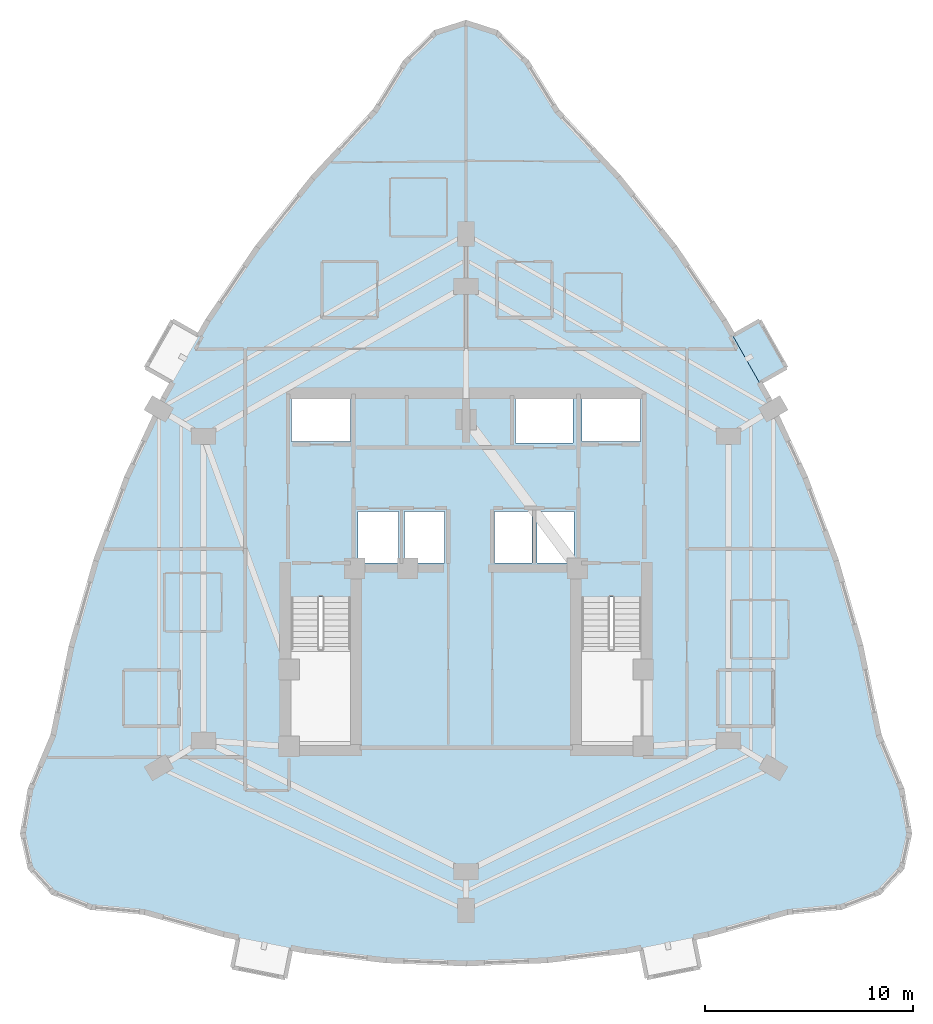
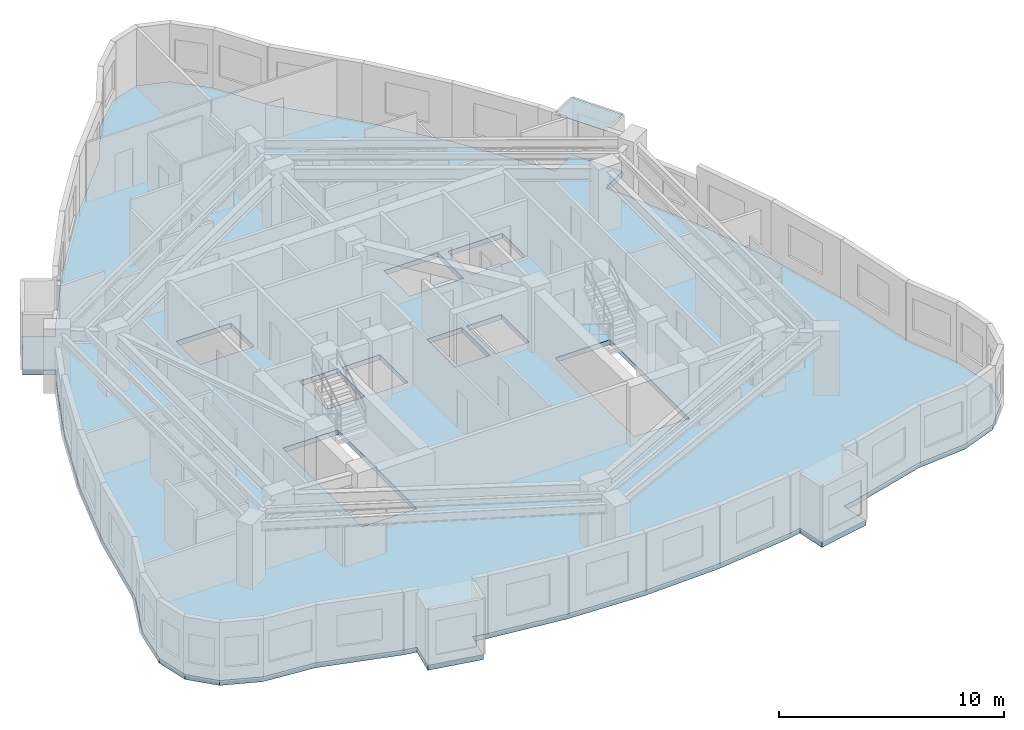
# One storey, part 3 of 10: 1 plate, 1 slab.
"""IFC4 building model written with IfcOpenShell, lengths in metres."""

from ifc_helpers import new_model, si_unit, direction, frame, origin, place, context, subcontext, project, spatial, polyline, outline, extrude, material, layer, layer_set, type_object, element, save


model = new_model("IFC4")

# Units and contexts
model_context = context("Model", 3, precision=1e-05, world=origin(), true_north=direction((0.0, 1.0)))
body_context = subcontext(model_context, "Body", "Model", "MODEL_VIEW")
ifc_project = project(units=[si_unit("LENGTHUNIT", "METRE"), si_unit("AREAUNIT", "SQUARE_METRE"), si_unit("VOLUMEUNIT", "CUBIC_METRE"), si_unit("PLANEANGLEUNIT", "RADIAN"), si_unit("MASSUNIT", "GRAM", prefix="KILO")], contexts=[model_context])

# Site, building, storey
site_placement = place(None, origin())
site = spatial("IfcSite", under=ifc_project, at=site_placement, CompositionType="ELEMENT")
building_placement = place(site_placement, origin())
building = spatial("IfcBuilding", under=site, at=building_placement, Name="Miruveldt Soraemaru", CompositionType="ELEMENT")
storey_placement = place(building_placement, frame((0.0, 0.0, 166.89990234375)))
storey = spatial("IfcBuildingStorey", under=building, at=storey_placement, Name="L46", CompositionType="ELEMENT", Elevation=166.89990234375)

# Plate
ifc_material_1 = material(Name="Standing-seam titanium-zinc sheet", Category="aluminium")
ifc_layer_1 = layer(ifc_material_1, 0.011962890625, Name="Standing-seam titanium-zinc sheet", Category="aluminium")
ifc_layer_set_1 = layer_set([ifc_layer_1], Name="Standing-seam titanium-zinc sheet")
plate_type = type_object("IfcPlateType", Name="PLT-ZINC-12", PredefinedType="SHEET", material=ifc_layer_set_1)
plate_placement = place(storey_placement, frame((0.0, 0.0, 3.085205078125)))
element("IfcPlate", 1, at=plate_placement, inside=storey, type_object=plate_type, Name="L46 Bay Window Zinc Hood Sheet 4", PredefinedType="SHEET", context=body_context, shape_type="SweptSolid", body=[
    extrude(outline(polyline([(58.084228515625, 52.95556640625), (56.801513671875, 55.217041015625), (58.0888671875, 55.947265625), (59.37158203125, 53.685791015625), (58.084228515625, 52.95556640625)])), origin(), (0.0, 0.0, 1.0), 0.011962890625),
])

# Slab
ifc_material_2 = material(Name="Concrete C40/50 (40 MPa)", Category="concrete")
ifc_layer_2 = layer(ifc_material_2, 0.264892578125, Name="Concrete C40/50 (40 MPa)", Category="concrete")
ifc_layer_set_2 = layer_set([ifc_layer_2], Name="Concrete C40/50 (40 MPa)")
slab_type = type_object("IfcSlabType", Name="SLAB-RES2-265", PredefinedType="FLOOR", material=ifc_layer_set_2)
slab_placement = place(storey_placement, frame((0.0, 0.0, -0.264892578125)))
element("IfcSlab", 2, at=slab_placement, inside=storey, type_object=slab_type, Name="L46 Structural Floor Slab", PredefinedType="FLOOR", context=body_context, shape_type="SweptSolid", body=[
    extrude(outline(polyline([(32.77587890625, 24.906005859375), (33.06591796875, 26.357177734375), (32.408935546875, 26.488525390625), (28.54541015625, 27.570556640625), (26.003173828125, 27.805419921875), (24.187255859375, 28.509765625), (23.097900390625, 29.68408203125), (22.734619140625, 31.327880859375), (23.097900390625, 33.44140625), (24.187255859375, 36.0244140625), (25.06982421875, 40.31298828125), (26.252197265625, 44.447021484375), (27.734375, 48.42626953125), (29.51611328125, 52.251220703125), (30.55712890625, 54.08642578125), (29.915771484375, 52.95556640625), (28.62841796875, 53.685791015625), (29.9111328125, 55.947265625), (31.198486328125, 55.217041015625), (31.597900390625, 55.92138671875), (33.9794921875, 59.437255859375), (36.660888671875, 62.79833984375), (39.64208984375, 66.005126953125), (41.0947265625, 68.353515625), (42.54736328125, 69.762451171875), (44.0, 70.232177734375), (45.45263671875, 69.762451171875), (46.9052734375, 68.353515625), (48.35791015625, 66.005126953125), (51.339111328125, 62.79833984375), (54.0205078125, 59.437255859375), (56.402099609375, 55.92138671875), (56.801513671875, 55.217041015625), (58.0888671875, 55.947265625), (59.37158203125, 53.685791015625), (58.084228515625, 52.95556640625), (57.44287109375, 54.086181640625), (58.48388671875, 52.251220703125), (60.265625, 48.42626953125), (61.747802734375, 44.447021484375), (62.93017578125, 40.31298828125), (63.812744140625, 36.0244140625), (64.902099609375, 33.44140625), (65.265380859375, 31.327880859375), (64.902099609375, 29.68408203125), (63.812744140625, 28.509765625), (61.996826171875, 27.805419921875), (59.45458984375, 27.570556640625), (55.591064453125, 26.488525390625), (54.93408203125, 26.357177734375), (55.22412109375, 24.906005859375), (52.6748046875, 24.39599609375), (52.384521484375, 25.847412109375), (53.6591796875, 26.102294921875), (51.727294921875, 25.7158203125), (47.86376953125, 25.252197265625), (44.0, 25.09765625), (40.13623046875, 25.252197265625), (36.272705078125, 25.7158203125), (34.3408203125, 26.102294921875), (35.615478515625, 25.847412109375), (35.3251953125, 24.39599609375), (32.77587890625, 24.906005859375)]), holes=[polyline([(35.614990234375, 35.6650390625), (38.43505859375, 35.6650390625), (38.43505859375, 42.68505859375), (35.614990234375, 42.68505859375), (35.614990234375, 35.6650390625)]), polyline([(49.56494140625, 35.6650390625), (52.385009765625, 35.6650390625), (52.385009765625, 42.68505859375), (49.56494140625, 42.68505859375), (49.56494140625, 35.6650390625)]), polyline([(40.764892578125, 44.31494140625), (40.764892578125, 46.784912109375), (38.81494140625, 46.784912109375), (38.81494140625, 44.31494140625), (40.764892578125, 44.31494140625)]), polyline([(42.965087890625, 44.31494140625), (42.965087890625, 46.784912109375), (41.034912109375, 46.784912109375), (41.034912109375, 44.31494140625), (42.965087890625, 44.31494140625)]), polyline([(47.1650390625, 44.31494140625), (47.1650390625, 46.784912109375), (45.364990234375, 46.784912109375), (45.364990234375, 44.31494140625), (47.1650390625, 44.31494140625)]), polyline([(49.18505859375, 44.31494140625), (49.18505859375, 46.784912109375), (47.39501953125, 46.784912109375), (47.39501953125, 44.31494140625), (49.18505859375, 44.31494140625)]), polyline([(38.445068359375, 50.135009765625), (38.445068359375, 52.205078125), (35.635009765625, 52.205078125), (35.635009765625, 50.135009765625), (38.445068359375, 50.135009765625)]), polyline([(49.554931640625, 50.135009765625), (52.364990234375, 50.135009765625), (52.364990234375, 52.205078125), (49.554931640625, 52.205078125), (49.554931640625, 50.135009765625)]), polyline([(46.364990234375, 50.06494140625), (49.135009765625, 50.06494140625), (49.135009765625, 52.3349609375), (46.364990234375, 52.3349609375), (46.364990234375, 50.06494140625)])]), origin(), (0.0, 0.0, 1.0), 0.264892578125),
])

save(model, "model.ifc")
